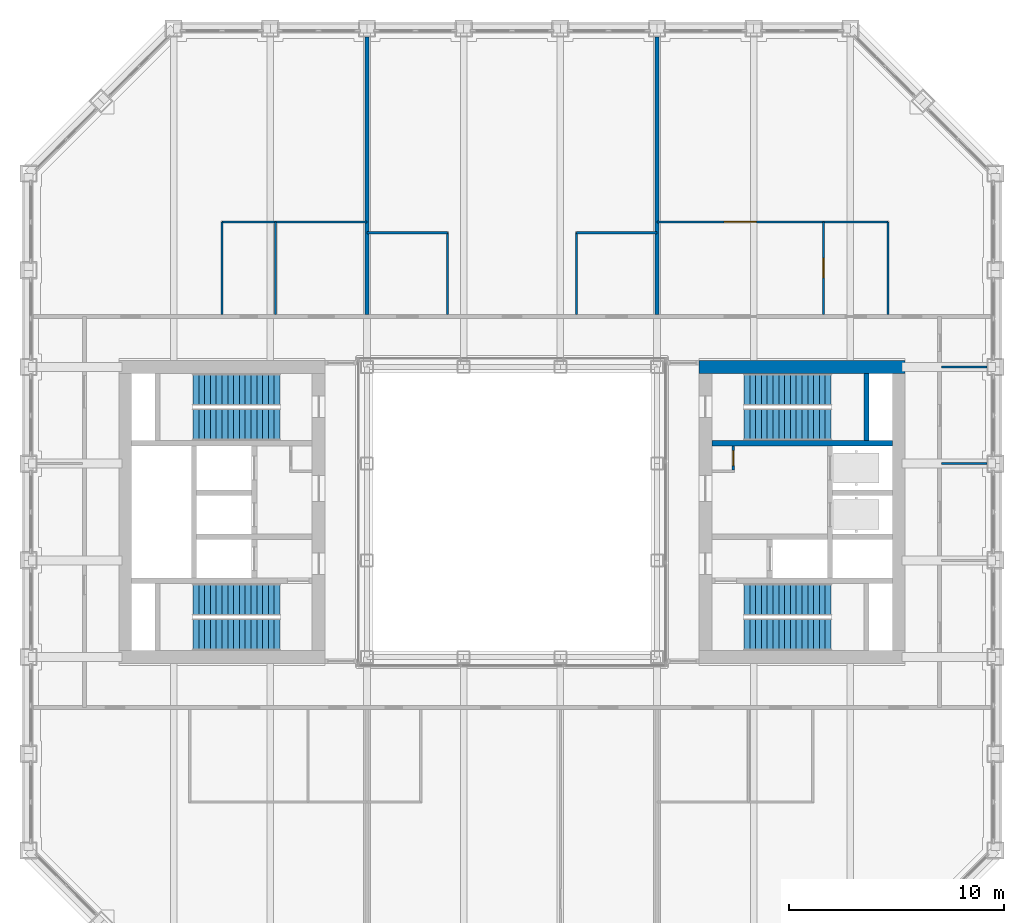
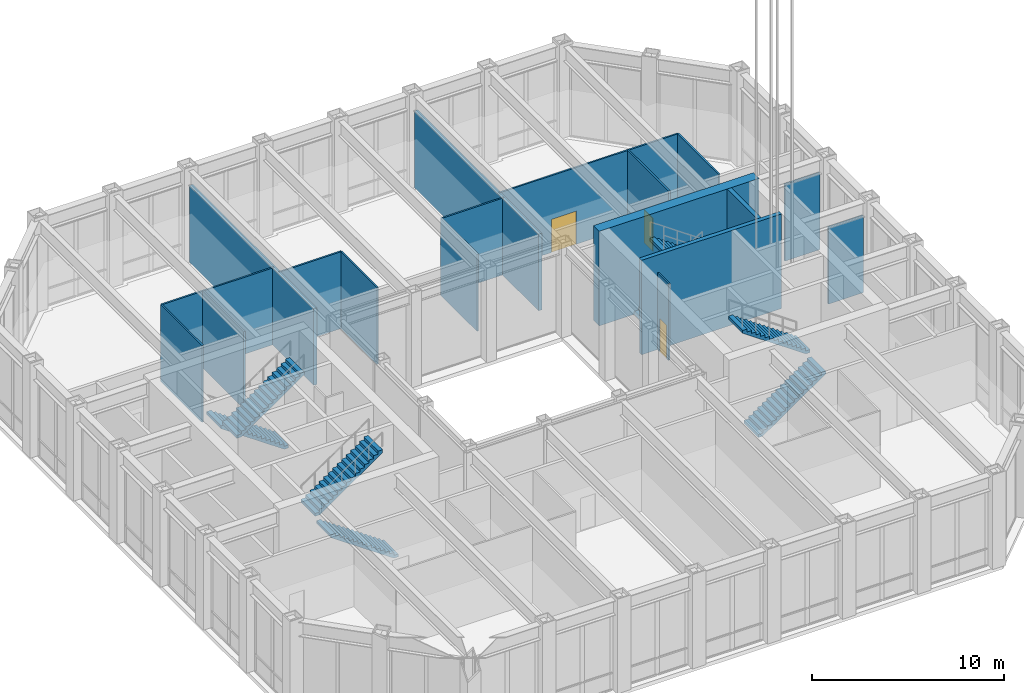
# One storey, part 15 of 22: 18 walls, 8 stair flights, 3 doors, 3 openings, 4 elements without a shape of their own.
"""IFC4 building model written with IfcOpenShell, lengths in metres."""

from ifc_helpers import new_model, si_unit, direction, frame, frame_2d, origin, place, context, subcontext, project, spatial, polyline, rectangle, outline, extrude, material, layer, layer_set, type_object, element, fill, aggregate, save


model = new_model("IFC4")

# Units and contexts
model_context = context("Model", 3, precision=1e-05, world=origin(), true_north=direction((0.0, 1.0)))
body_context = subcontext(model_context, "Body", "Model", "MODEL_VIEW")
ifc_project = project(units=[si_unit("LENGTHUNIT", "METRE"), si_unit("AREAUNIT", "SQUARE_METRE"), si_unit("VOLUMEUNIT", "CUBIC_METRE"), si_unit("PLANEANGLEUNIT", "RADIAN"), si_unit("MASSUNIT", "GRAM", prefix="KILO")], contexts=[model_context])

# Site, building, storey
site_placement = place(None, origin())
site = spatial("IfcSite", under=ifc_project, at=site_placement, CompositionType="ELEMENT")
building_placement = place(site_placement, origin())
building = spatial("IfcBuilding", under=site, at=building_placement, Name="Msasa Ring Tower", CompositionType="ELEMENT")
storey_placement = place(building_placement, frame((0.0, 0.0, 112.39990234375)))
storey = spatial("IfcBuildingStorey", under=building, at=storey_placement, Name="L29", CompositionType="ELEMENT", Elevation=112.39990234375)

# Walls
ifc_material_1 = material(Name="Concrete C60/75", Category="concrete")
ifc_layer_1 = layer(ifc_material_1, 0.60009765625)
ifc_layer_set_1 = layer_set([ifc_layer_1], Name="CW2 CORE WALL 600")
wall_type_1 = type_object("IfcWallType", Name="CW2 CORE WALL 600", PredefinedType="SHEAR", material=ifc_layer_set_1)
wall_1_placement = place(storey_placement, frame((8.699951171875, 6.75, 0.0), z_axis=(0.0, 0.0, 1.0), x_axis=(1.0, 0.0, 0.0)))
element("IfcWall", 1, at=wall_1_placement, inside=storey, type_object=wall_type_1, Name="E core wall N L29", PredefinedType="SHEAR", context=body_context, shape_type="SweptSolid", body=[
    extrude(rectangle(XDim=9.60009765625, YDim=0.60009765625, at=frame_2d((4.800048828125, 0.0))), origin(), (0.0, 0.0, 1.0), 6.0),
])
ifc_material_2 = material(Name="Concrete C60/75", Category="concrete")
ifc_layer_2 = layer(ifc_material_2, 0.25)
ifc_layer_set_2 = layer_set([ifc_layer_2], Name="CW4 CORE INNER WALL 250")
wall_type_2 = type_object("IfcWallType", Name="CW4 CORE INNER WALL 250", PredefinedType="SHEAR", material=ifc_layer_set_2)
wall_2_placement = place(storey_placement, frame((9.300048828125, 3.199951171875, 0.0), z_axis=(0.0, 0.0, 1.0), x_axis=(1.0, 0.0, 0.0)))
element("IfcWall", 2, at=wall_2_placement, inside=storey, type_object=wall_type_2, Name="E core wall STAIRB L29", PredefinedType="SHEAR", context=body_context, shape_type="SweptSolid", body=[
    extrude(rectangle(XDim=8.39990234375, YDim=0.25, at=frame_2d((4.199951171875, 0.0))), origin(), (0.0, 0.0, 1.0), 6.0),
])
wall_3_placement = place(storey_placement, frame((16.5, 3.324951171875, 0.0), z_axis=(0.0, 0.0, 1.0), x_axis=(0.0, 1.0, 0.0)))
element("IfcWall", 3, at=wall_3_placement, inside=storey, type_object=wall_type_2, Name="E core wall RISERB L29", PredefinedType="SHEAR", context=body_context, shape_type="SweptSolid", body=[
    extrude(rectangle(XDim=3.125, YDim=0.25, at=frame_2d((1.5625, 0.0))), origin(), (0.0, 0.0, 1.0), 6.0),
])
ifc_material_3 = material(Name="Gypsum board on steel studs", Category="steel")
ifc_layer_3 = layer(ifc_material_3, 0.10009765625)
ifc_layer_set_3 = layer_set([ifc_layer_3], Name="PT2 STUD PARTITION 100")
wall_type_3 = type_object("IfcWallType", Name="PT2 STUD PARTITION 100", PredefinedType="PARTITIONING", material=ifc_layer_set_3)
wall_4_placement = place(storey_placement, frame((-13.5, 13.5, 0.0), z_axis=(0.0, 0.0, 1.0), x_axis=(1.0, 0.0, 0.0)))
element("IfcWall", 4, at=wall_4_placement, inside=storey, type_object=wall_type_3, Name="Partition L29-SLN0X0", PredefinedType="PARTITIONING", context=body_context, shape_type="SweptSolid", body=[
    extrude(rectangle(XDim=6.75, YDim=0.10009765625, at=frame_2d((3.375, 0.0))), origin(), (0.0, 0.0, 1.0), 4.87353515625),
])
for number, where, z_axis, x_axis, name in (
    (5, (-13.5, 9.199951171875, 0.0), (0.0, 0.0, 1.0), (0.0, 1.0, 0.0), "Partition L29-SLN0Y0"),
    (6, (-11.0, 9.199951171875, 0.0), (0.0, 0.0, 1.0), (0.0, 1.0, 0.0), "Partition L29-SLN0Y1"),
):
    element("IfcWall", number, at=place(storey_placement, frame(where, z_axis=z_axis, x_axis=x_axis)), inside=storey, type_object=wall_type_3, Name=name, PredefinedType="PARTITIONING", context=body_context, shape_type="SweptSolid", body=[
        extrude(rectangle(XDim=4.300048828125, YDim=0.10009765625, at=frame_2d((2.14990234375, 0.0))), origin(), (0.0, 0.0, 1.0), 4.87353515625),
    ])
for number, where, z_axis, x_axis, name in (
    (7, (-6.75, 13.0, 0.0), (0.0, 0.0, 1.0), (1.0, 0.0, 0.0), "Partition L29-SLN1X0"),
    (8, (3.0, 13.0, 0.0), (0.0, 0.0, 1.0), (1.0, 0.0, 0.0), "Partition L29-SLN1X1"),
):
    element("IfcWall", number, at=place(storey_placement, frame(where, z_axis=z_axis, x_axis=x_axis)), inside=storey, type_object=wall_type_3, Name=name, PredefinedType="PARTITIONING", context=body_context, shape_type="SweptSolid", body=[
        extrude(rectangle(XDim=3.75, YDim=0.10009765625, at=frame_2d((1.875, 0.0))), origin(), (0.0, 0.0, 1.0), 4.87353515625),
    ])
for number, where, z_axis, x_axis, name in (
    (9, (-3.0, 9.199951171875, 0.0), (0.0, 0.0, 1.0), (0.0, 1.0, 0.0), "Partition L29-SLN1Y0"),
    (10, (3.0, 9.199951171875, 0.0), (0.0, 0.0, 1.0), (0.0, 1.0, 0.0), "Partition L29-SLN1Y1"),
):
    element("IfcWall", number, at=place(storey_placement, frame(where, z_axis=z_axis, x_axis=x_axis)), inside=storey, type_object=wall_type_3, Name=name, PredefinedType="PARTITIONING", context=body_context, shape_type="SweptSolid", body=[
        extrude(rectangle(XDim=3.800048828125, YDim=0.10009765625, at=frame_2d((1.89990234375, 0.0))), origin(), (0.0, 0.0, 1.0), 4.87353515625),
    ])

# Wall, opening, door
wall_5_placement = place(storey_placement, frame((6.75, 13.5, 0.0), z_axis=(0.0, 0.0, 1.0), x_axis=(1.0, 0.0, 0.0)))
wall_5 = element("IfcWall", 11, at=wall_5_placement, inside=storey, type_object=wall_type_3, Name="Partition L29-SLN2X0", PredefinedType="PARTITIONING", context=body_context, shape_type="SweptSolid", body=[
    extrude(rectangle(XDim=10.75, YDim=0.10009765625, at=frame_2d((5.375, 0.0))), origin(), (0.0, 0.0, 1.0), 4.87353515625),
])
opening_1_placement = place(wall_5_placement, frame((3.125, 0.0, 0.0)))
opening_1 = element("IfcOpeningElement", 12, at=opening_1_placement, cuts=wall_5, Name="Opening L29-001", PredefinedType="OPENING", context=body_context, shape_type="SweptSolid", body=[
    extrude(rectangle(XDim=1.5, YDim=2.10009765625, at=frame_2d((0.75, 1.050048828125))), frame((0.0, 0.06005859375, 0.0), z_axis=(0.0, -1.0, 0.0), x_axis=(1.0, 0.0, 0.0)), (0.0, 0.0, 1.0), 0.1201171875),
])
ifc_material_4 = material(Name="Timber door leaf in a steel frame", Category="steel")
door_type_1 = type_object("IfcDoorType", Name="D28 INTERNAL KITCHEN DOUBLE SWING DOOR 1500x2100", OperationType="SINGLE_SWING_LEFT", PredefinedType="DOOR", material=ifc_material_4)
door_1_placement = place(opening_1_placement, origin())
door_1 = element("IfcDoor", 13, at=door_1_placement, inside=storey, type_object=door_type_1, Name="Door L29-SLN2B0", OperationType="SINGLE_SWING_LEFT", OverallHeight=2.10009765625, OverallWidth=1.5, PredefinedType="DOOR", context=body_context, shape_type="SweptSolid", body=[
    extrude(rectangle(XDim=1.5, YDim=2.10009765625, at=frame_2d((0.75, 1.050048828125))), frame((0.0, 0.02490234375, 0.0), z_axis=(0.0, -1.0, 0.0), x_axis=(1.0, 0.0, 0.0)), (0.0, 0.0, 1.0), 0.050048828125),
])
fill(opening_1, door_1)

wall_6_placement = place(storey_placement, frame((14.5, 9.199951171875, 0.0), z_axis=(0.0, 0.0, 1.0), x_axis=(0.0, 1.0, 0.0)))
wall_6 = element("IfcWall", 14, at=wall_6_placement, inside=storey, type_object=wall_type_3, Name="Partition L29-SLN2Y0", PredefinedType="PARTITIONING", context=body_context, shape_type="SweptSolid", body=[
    extrude(rectangle(XDim=4.300048828125, YDim=0.10009765625, at=frame_2d((2.14990234375, 0.0))), origin(), (0.0, 0.0, 1.0), 4.87353515625),
])
opening_2_placement = place(wall_6_placement, frame((1.699951171875, 0.0, 0.0)))
opening_2 = element("IfcOpeningElement", 15, at=opening_2_placement, cuts=wall_6, Name="Opening L29-002", PredefinedType="OPENING", context=body_context, shape_type="SweptSolid", body=[
    extrude(rectangle(XDim=0.89990234375, YDim=2.10009765625, at=frame_2d((0.449951171875, 1.050048828125))), frame((0.0, 0.06005859375, 0.0), z_axis=(0.0, -1.0, 0.0), x_axis=(1.0, 0.0, 0.0)), (0.0, 0.0, 1.0), 0.1201171875),
])
ifc_material_5 = material(Name="Timber door leaf in a steel frame", Category="steel")
door_type_2 = type_object("IfcDoorType", Name="D31 INTERNAL ROOM DOOR 900x2100", OperationType="SINGLE_SWING_LEFT", PredefinedType="DOOR", material=ifc_material_5)
door_2_placement = place(opening_2_placement, origin())
door_2 = element("IfcDoor", 16, at=door_2_placement, inside=storey, type_object=door_type_2, Name="Door L29-SLN2B1S", OperationType="SINGLE_SWING_LEFT", OverallHeight=2.10009765625, OverallWidth=0.89990234375, PredefinedType="DOOR", context=body_context, shape_type="SweptSolid", body=[
    extrude(rectangle(XDim=0.89990234375, YDim=2.10009765625, at=frame_2d((0.449951171875, 1.050048828125))), frame((0.0, 0.02490234375, 0.0), z_axis=(0.0, -1.0, 0.0), x_axis=(1.0, 0.0, 0.0)), (0.0, 0.0, 1.0), 0.050048828125),
])
fill(opening_2, door_2)

# Walls
wall_7_placement = place(storey_placement, frame((17.5, 9.199951171875, 0.0), z_axis=(0.0, 0.0, 1.0), x_axis=(0.0, 1.0, 0.0)))
element("IfcWall", 17, at=wall_7_placement, inside=storey, type_object=wall_type_3, Name="Partition L29-SLN2Y1", PredefinedType="PARTITIONING", context=body_context, shape_type="SweptSolid", body=[
    extrude(rectangle(XDim=4.300048828125, YDim=0.10009765625, at=frame_2d((2.14990234375, 0.0))), origin(), (0.0, 0.0, 1.0), 4.87353515625),
])
for number, where, z_axis, x_axis, name in (
    (18, (20.0, 2.25, 0.0), (0.0, 0.0, 1.0), (1.0, 0.0, 0.0), "Partition L29-WCEX1"),
    (19, (20.0, 6.75, 0.0), (0.0, 0.0, 1.0), (1.0, 0.0, 0.0), "Partition L29-WCEX2"),
):
    element("IfcWall", number, at=place(storey_placement, frame(where, z_axis=z_axis, x_axis=x_axis)), inside=storey, type_object=wall_type_3, Name=name, PredefinedType="PARTITIONING", context=body_context, shape_type="SweptSolid", body=[
        extrude(rectangle(XDim=2.10009765625, YDim=0.10009765625, at=frame_2d((1.050048828125, 0.0))), origin(), (0.0, 0.0, 1.0), 4.87353515625),
    ])

# Wall, opening, door
wall_8_placement = place(storey_placement, frame((10.300048828125, 1.949951171875, 0.0), z_axis=(0.0, 0.0, 1.0), x_axis=(0.0, 1.0, 0.0)))
wall_8 = element("IfcWall", 20, at=wall_8_placement, inside=storey, type_object=wall_type_3, Name="Partition L29-EKP2", PredefinedType="PARTITIONING", context=body_context, shape_type="SweptSolid", body=[
    extrude(rectangle(XDim=1.125, YDim=0.10009765625, at=frame_2d((0.5625, 0.0))), origin(), (0.0, 0.0, 1.0), 4.87353515625),
])
opening_3_placement = place(wall_8_placement, frame((0.21240234375, 0.0, 0.0)))
opening_3 = element("IfcOpeningElement", 21, at=opening_3_placement, cuts=wall_8, Name="Opening L29-020", PredefinedType="OPENING", context=body_context, shape_type="SweptSolid", body=[
    extrude(rectangle(XDim=0.699951171875, YDim=2.10009765625, at=frame_2d((0.35009765625, 1.050048828125))), frame((0.0, 0.06005859375, 0.0), z_axis=(0.0, -1.0, 0.0), x_axis=(1.0, 0.0, 0.0)), (0.0, 0.0, 1.0), 0.1201171875),
])
ifc_material_6 = material(Name="Timber door leaf in a steel frame", Category="steel")
door_type_3 = type_object("IfcDoorType", Name="D32 INTERNAL NARROW STORE DOOR 700x2100", OperationType="SINGLE_SWING_LEFT", PredefinedType="DOOR", material=ifc_material_6)
door_3_placement = place(opening_3_placement, origin())
door_3 = element("IfcDoor", 22, at=door_3_placement, inside=storey, type_object=door_type_3, Name="Door L29-EKC", OperationType="SINGLE_SWING_LEFT", OverallHeight=2.10009765625, OverallWidth=0.699951171875, PredefinedType="DOOR", context=body_context, shape_type="SweptSolid", body=[
    extrude(rectangle(XDim=0.699951171875, YDim=2.10009765625, at=frame_2d((0.35009765625, 1.050048828125))), frame((0.0, 0.02490234375, 0.0), z_axis=(0.0, -1.0, 0.0), x_axis=(1.0, 0.0, 0.0)), (0.0, 0.0, 1.0), 0.050048828125),
])
fill(opening_3, door_3)

# Walls
ifc_material_7 = material(Name="Dense concrete blockwork, plastered both faces", Category="masonry")
ifc_layer_4 = layer(ifc_material_7, 0.25)
ifc_layer_set_4 = layer_set([ifc_layer_4], Name="PT3 APARTMENT SEPARATING WALL 250")
wall_type_4 = type_object("IfcWallType", Name="PT3 APARTMENT SEPARATING WALL 250", PredefinedType="PARTITIONING", material=ifc_layer_set_4)
for number, where, z_axis, x_axis, name in (
    (23, (-6.75, 9.199951171875, 0.0), (0.0, 0.0, 1.0), (0.0, 1.0, 0.0), "Party wall L29-PWN-6.75"),
    (24, (6.75, 9.199951171875, 0.0), (0.0, 0.0, 1.0), (0.0, 1.0, 0.0), "Party wall L29-PWN+6.75"),
):
    element("IfcWall", number, at=place(storey_placement, frame(where, z_axis=z_axis, x_axis=x_axis)), inside=storey, type_object=wall_type_4, Name=name, PredefinedType="PARTITIONING", context=body_context, shape_type="SweptSolid", body=[
        extrude(rectangle(XDim=12.900146484375, YDim=0.199951171875, at=frame_2d((6.4501953125, 0.0))), origin(), (0.0, 0.0, 1.0), 4.87353515625),
    ])

# Stair, stair flights
ifc_material_8 = material(Name="Concrete C40/50", Category="concrete")
stair_type = type_object("IfcStairType", Name="STC CORE STAIR 32 RISERS 187.5", PredefinedType="HALF_TURN_STAIR", material=ifc_material_8)
stair_1_placement = place(storey_placement, origin())
stair_1 = element("IfcStair", 25, at=stair_1_placement, inside=storey, type_object=stair_type, Name="Core stair SEA L29", PredefinedType="HALF_TURN_STAIR")
ifc_material_9 = material(Name="Concrete C40/50", Category="concrete")
stair_flight_type = type_object("IfcStairFlightType", Name="ST17 CORE STAIR FLIGHT 1500 16 RISERS 187.5", PredefinedType="STRAIGHT", material=ifc_material_9)
stair_flight_1_placement = place(storey_placement, frame((10.800048828125, -5.699951171875, 0.0), z_axis=(0.0, 0.0, 1.0), x_axis=(1.0, 0.0, 0.0)))
stair_flight_1 = element("IfcStairFlight", 26, at=stair_flight_1_placement, type_object=stair_flight_type, Name="SEA flight 1", NumberOfRisers=16, NumberOfTreads=15, PredefinedType="STRAIGHT", RiserHeight=0.1875, TreadLength=0.27, context=body_context, shape_type="SweptSolid", body=[
    extrude(outline(polyline([(0.0, 0.0), (0.0, 0.1875), (0.27001953125, 0.1875), (0.27001953125, 0.375), (0.5400390625, 0.375), (0.5400390625, 0.5625), (0.81005859375, 0.5625), (0.81005859375, 0.75), (1.080078125, 0.75), (1.080078125, 0.9375), (1.35009765625, 0.9375), (1.35009765625, 1.125), (1.6201171875, 1.125), (1.6201171875, 1.3125), (1.889892578125, 1.3125), (1.889892578125, 1.5), (2.159912109375, 1.5), (2.159912109375, 1.6875), (2.429931640625, 1.6875), (2.429931640625, 1.875), (2.699951171875, 1.875), (2.699951171875, 2.0625), (2.969970703125, 2.0625), (2.969970703125, 2.25), (3.239990234375, 2.25), (3.239990234375, 2.4375), (3.510009765625, 2.4375), (3.510009765625, 2.625), (3.780029296875, 2.625), (3.780029296875, 2.8125), (4.050048828125, 2.8125), (4.050048828125, 3.0), (4.050048828125, 2.6298828125), (0.2626953125, 0.0), (0.0, 0.0)])), frame((0.0, 0.75, 0.0), z_axis=(0.0, -1.0, 0.0), x_axis=(1.0, 0.0, 0.0)), (0.0, 0.0, 1.0), 1.5),
])
stair_flight_2_placement = place(storey_placement, frame((14.85009765625, -4.074951171875, 3.0), z_axis=(0.0, 0.0, 1.0), x_axis=(-1.0, 0.0, 0.0)))
stair_flight_2 = element("IfcStairFlight", 27, at=stair_flight_2_placement, type_object=stair_flight_type, Name="SEA flight 2", NumberOfRisers=16, NumberOfTreads=15, PredefinedType="STRAIGHT", RiserHeight=0.1875, TreadLength=0.27, context=body_context, shape_type="SweptSolid", body=[
    extrude(outline(polyline([(0.0, 0.0), (0.0, 0.1875), (0.27001953125, 0.1875), (0.27001953125, 0.375), (0.5400390625, 0.375), (0.5400390625, 0.5625), (0.81005859375, 0.5625), (0.81005859375, 0.75), (1.080078125, 0.75), (1.080078125, 0.9375), (1.35009765625, 0.9375), (1.35009765625, 1.125), (1.6201171875, 1.125), (1.6201171875, 1.3125), (1.889892578125, 1.3125), (1.889892578125, 1.5), (2.159912109375, 1.5), (2.159912109375, 1.6875), (2.429931640625, 1.6875), (2.429931640625, 1.875), (2.699951171875, 1.875), (2.699951171875, 2.0625), (2.969970703125, 2.0625), (2.969970703125, 2.25), (3.239990234375, 2.25), (3.239990234375, 2.4375), (3.510009765625, 2.4375), (3.510009765625, 2.625), (3.780029296875, 2.625), (3.780029296875, 2.8125), (4.050048828125, 2.8125), (4.050048828125, 3.0), (4.050048828125, 2.6298828125), (0.2626953125, 0.0), (0.0, 0.0)])), frame((0.0, 0.75, 0.0), z_axis=(0.0, -1.0, 0.0), x_axis=(1.0, 0.0, 0.0)), (0.0, 0.0, 1.0), 1.5),
])
aggregate(stair_1, [stair_flight_1, stair_flight_2])

stair_2_placement = place(storey_placement, origin())
stair_2 = element("IfcStair", 28, at=stair_2_placement, inside=storey, type_object=stair_type, Name="Core stair SEB L29", PredefinedType="HALF_TURN_STAIR")
stair_flight_3_placement = place(storey_placement, frame((10.800048828125, 5.699951171875, 0.0), z_axis=(0.0, 0.0, 1.0), x_axis=(1.0, 0.0, 0.0)))
stair_flight_3 = element("IfcStairFlight", 29, at=stair_flight_3_placement, type_object=stair_flight_type, Name="SEB flight 1", NumberOfRisers=16, NumberOfTreads=15, PredefinedType="STRAIGHT", RiserHeight=0.1875, TreadLength=0.27, context=body_context, shape_type="SweptSolid", body=[
    extrude(outline(polyline([(0.0, 0.0), (0.0, 0.1875), (0.27001953125, 0.1875), (0.27001953125, 0.375), (0.5400390625, 0.375), (0.5400390625, 0.5625), (0.81005859375, 0.5625), (0.81005859375, 0.75), (1.080078125, 0.75), (1.080078125, 0.9375), (1.35009765625, 0.9375), (1.35009765625, 1.125), (1.6201171875, 1.125), (1.6201171875, 1.3125), (1.889892578125, 1.3125), (1.889892578125, 1.5), (2.159912109375, 1.5), (2.159912109375, 1.6875), (2.429931640625, 1.6875), (2.429931640625, 1.875), (2.699951171875, 1.875), (2.699951171875, 2.0625), (2.969970703125, 2.0625), (2.969970703125, 2.25), (3.239990234375, 2.25), (3.239990234375, 2.4375), (3.510009765625, 2.4375), (3.510009765625, 2.625), (3.780029296875, 2.625), (3.780029296875, 2.8125), (4.050048828125, 2.8125), (4.050048828125, 3.0), (4.050048828125, 2.6298828125), (0.2626953125, 0.0), (0.0, 0.0)])), frame((0.0, 0.75, 0.0), z_axis=(0.0, -1.0, 0.0), x_axis=(1.0, 0.0, 0.0)), (0.0, 0.0, 1.0), 1.5),
])
stair_flight_4_placement = place(storey_placement, frame((14.85009765625, 4.074951171875, 3.0), z_axis=(0.0, 0.0, 1.0), x_axis=(-1.0, 0.0, 0.0)))
stair_flight_4 = element("IfcStairFlight", 30, at=stair_flight_4_placement, type_object=stair_flight_type, Name="SEB flight 2", NumberOfRisers=16, NumberOfTreads=15, PredefinedType="STRAIGHT", RiserHeight=0.1875, TreadLength=0.27, context=body_context, shape_type="SweptSolid", body=[
    extrude(outline(polyline([(0.0, 0.0), (0.0, 0.1875), (0.27001953125, 0.1875), (0.27001953125, 0.375), (0.5400390625, 0.375), (0.5400390625, 0.5625), (0.81005859375, 0.5625), (0.81005859375, 0.75), (1.080078125, 0.75), (1.080078125, 0.9375), (1.35009765625, 0.9375), (1.35009765625, 1.125), (1.6201171875, 1.125), (1.6201171875, 1.3125), (1.889892578125, 1.3125), (1.889892578125, 1.5), (2.159912109375, 1.5), (2.159912109375, 1.6875), (2.429931640625, 1.6875), (2.429931640625, 1.875), (2.699951171875, 1.875), (2.699951171875, 2.0625), (2.969970703125, 2.0625), (2.969970703125, 2.25), (3.239990234375, 2.25), (3.239990234375, 2.4375), (3.510009765625, 2.4375), (3.510009765625, 2.625), (3.780029296875, 2.625), (3.780029296875, 2.8125), (4.050048828125, 2.8125), (4.050048828125, 3.0), (4.050048828125, 2.6298828125), (0.2626953125, 0.0), (0.0, 0.0)])), frame((0.0, 0.75, 0.0), z_axis=(0.0, -1.0, 0.0), x_axis=(1.0, 0.0, 0.0)), (0.0, 0.0, 1.0), 1.5),
])
aggregate(stair_2, [stair_flight_3, stair_flight_4])

stair_3_placement = place(storey_placement, origin())
stair_3 = element("IfcStair", 31, at=stair_3_placement, inside=storey, type_object=stair_type, Name="Core stair SWA L29", PredefinedType="HALF_TURN_STAIR")
stair_flight_5_placement = place(storey_placement, frame((-10.800048828125, -5.699951171875, 0.0), z_axis=(0.0, 0.0, 1.0), x_axis=(-1.0, 0.0, 0.0)))
stair_flight_5 = element("IfcStairFlight", 32, at=stair_flight_5_placement, type_object=stair_flight_type, Name="SWA flight 1", NumberOfRisers=16, NumberOfTreads=15, PredefinedType="STRAIGHT", RiserHeight=0.1875, TreadLength=0.27, context=body_context, shape_type="SweptSolid", body=[
    extrude(outline(polyline([(0.0, 0.0), (0.0, 0.1875), (0.27001953125, 0.1875), (0.27001953125, 0.375), (0.5400390625, 0.375), (0.5400390625, 0.5625), (0.81005859375, 0.5625), (0.81005859375, 0.75), (1.080078125, 0.75), (1.080078125, 0.9375), (1.35009765625, 0.9375), (1.35009765625, 1.125), (1.6201171875, 1.125), (1.6201171875, 1.3125), (1.889892578125, 1.3125), (1.889892578125, 1.5), (2.159912109375, 1.5), (2.159912109375, 1.6875), (2.429931640625, 1.6875), (2.429931640625, 1.875), (2.699951171875, 1.875), (2.699951171875, 2.0625), (2.969970703125, 2.0625), (2.969970703125, 2.25), (3.239990234375, 2.25), (3.239990234375, 2.4375), (3.510009765625, 2.4375), (3.510009765625, 2.625), (3.780029296875, 2.625), (3.780029296875, 2.8125), (4.050048828125, 2.8125), (4.050048828125, 3.0), (4.050048828125, 2.6298828125), (0.2626953125, 0.0), (0.0, 0.0)])), frame((0.0, 0.75, 0.0), z_axis=(0.0, -1.0, 0.0), x_axis=(1.0, 0.0, 0.0)), (0.0, 0.0, 1.0), 1.5),
])
stair_flight_6_placement = place(storey_placement, frame((-14.85009765625, -4.074951171875, 3.0), z_axis=(0.0, 0.0, 1.0), x_axis=(1.0, 0.0, 0.0)))
stair_flight_6 = element("IfcStairFlight", 33, at=stair_flight_6_placement, type_object=stair_flight_type, Name="SWA flight 2", NumberOfRisers=16, NumberOfTreads=15, PredefinedType="STRAIGHT", RiserHeight=0.1875, TreadLength=0.27, context=body_context, shape_type="SweptSolid", body=[
    extrude(outline(polyline([(0.0, 0.0), (0.0, 0.1875), (0.27001953125, 0.1875), (0.27001953125, 0.375), (0.5400390625, 0.375), (0.5400390625, 0.5625), (0.81005859375, 0.5625), (0.81005859375, 0.75), (1.080078125, 0.75), (1.080078125, 0.9375), (1.35009765625, 0.9375), (1.35009765625, 1.125), (1.6201171875, 1.125), (1.6201171875, 1.3125), (1.889892578125, 1.3125), (1.889892578125, 1.5), (2.159912109375, 1.5), (2.159912109375, 1.6875), (2.429931640625, 1.6875), (2.429931640625, 1.875), (2.699951171875, 1.875), (2.699951171875, 2.0625), (2.969970703125, 2.0625), (2.969970703125, 2.25), (3.239990234375, 2.25), (3.239990234375, 2.4375), (3.510009765625, 2.4375), (3.510009765625, 2.625), (3.780029296875, 2.625), (3.780029296875, 2.8125), (4.050048828125, 2.8125), (4.050048828125, 3.0), (4.050048828125, 2.6298828125), (0.2626953125, 0.0), (0.0, 0.0)])), frame((0.0, 0.75, 0.0), z_axis=(0.0, -1.0, 0.0), x_axis=(1.0, 0.0, 0.0)), (0.0, 0.0, 1.0), 1.5),
])
aggregate(stair_3, [stair_flight_5, stair_flight_6])

stair_4_placement = place(storey_placement, origin())
stair_4 = element("IfcStair", 34, at=stair_4_placement, inside=storey, type_object=stair_type, Name="Core stair SWB L29", PredefinedType="HALF_TURN_STAIR")
stair_flight_7_placement = place(storey_placement, frame((-10.800048828125, 5.699951171875, 0.0), z_axis=(0.0, 0.0, 1.0), x_axis=(-1.0, 0.0, 0.0)))
stair_flight_7 = element("IfcStairFlight", 35, at=stair_flight_7_placement, type_object=stair_flight_type, Name="SWB flight 1", NumberOfRisers=16, NumberOfTreads=15, PredefinedType="STRAIGHT", RiserHeight=0.1875, TreadLength=0.27, context=body_context, shape_type="SweptSolid", body=[
    extrude(outline(polyline([(0.0, 0.0), (0.0, 0.1875), (0.27001953125, 0.1875), (0.27001953125, 0.375), (0.5400390625, 0.375), (0.5400390625, 0.5625), (0.81005859375, 0.5625), (0.81005859375, 0.75), (1.080078125, 0.75), (1.080078125, 0.9375), (1.35009765625, 0.9375), (1.35009765625, 1.125), (1.6201171875, 1.125), (1.6201171875, 1.3125), (1.889892578125, 1.3125), (1.889892578125, 1.5), (2.159912109375, 1.5), (2.159912109375, 1.6875), (2.429931640625, 1.6875), (2.429931640625, 1.875), (2.699951171875, 1.875), (2.699951171875, 2.0625), (2.969970703125, 2.0625), (2.969970703125, 2.25), (3.239990234375, 2.25), (3.239990234375, 2.4375), (3.510009765625, 2.4375), (3.510009765625, 2.625), (3.780029296875, 2.625), (3.780029296875, 2.8125), (4.050048828125, 2.8125), (4.050048828125, 3.0), (4.050048828125, 2.6298828125), (0.2626953125, 0.0), (0.0, 0.0)])), frame((0.0, 0.75, 0.0), z_axis=(0.0, -1.0, 0.0), x_axis=(1.0, 0.0, 0.0)), (0.0, 0.0, 1.0), 1.5),
])
stair_flight_8_placement = place(storey_placement, frame((-14.85009765625, 4.074951171875, 3.0), z_axis=(0.0, 0.0, 1.0), x_axis=(1.0, 0.0, 0.0)))
stair_flight_8 = element("IfcStairFlight", 36, at=stair_flight_8_placement, type_object=stair_flight_type, Name="SWB flight 2", NumberOfRisers=16, NumberOfTreads=15, PredefinedType="STRAIGHT", RiserHeight=0.1875, TreadLength=0.27, context=body_context, shape_type="SweptSolid", body=[
    extrude(outline(polyline([(0.0, 0.0), (0.0, 0.1875), (0.27001953125, 0.1875), (0.27001953125, 0.375), (0.5400390625, 0.375), (0.5400390625, 0.5625), (0.81005859375, 0.5625), (0.81005859375, 0.75), (1.080078125, 0.75), (1.080078125, 0.9375), (1.35009765625, 0.9375), (1.35009765625, 1.125), (1.6201171875, 1.125), (1.6201171875, 1.3125), (1.889892578125, 1.3125), (1.889892578125, 1.5), (2.159912109375, 1.5), (2.159912109375, 1.6875), (2.429931640625, 1.6875), (2.429931640625, 1.875), (2.699951171875, 1.875), (2.699951171875, 2.0625), (2.969970703125, 2.0625), (2.969970703125, 2.25), (3.239990234375, 2.25), (3.239990234375, 2.4375), (3.510009765625, 2.4375), (3.510009765625, 2.625), (3.780029296875, 2.625), (3.780029296875, 2.8125), (4.050048828125, 2.8125), (4.050048828125, 3.0), (4.050048828125, 2.6298828125), (0.2626953125, 0.0), (0.0, 0.0)])), frame((0.0, 0.75, 0.0), z_axis=(0.0, -1.0, 0.0), x_axis=(1.0, 0.0, 0.0)), (0.0, 0.0, 1.0), 1.5),
])
aggregate(stair_4, [stair_flight_7, stair_flight_8])

save(model, "model.ifc")
